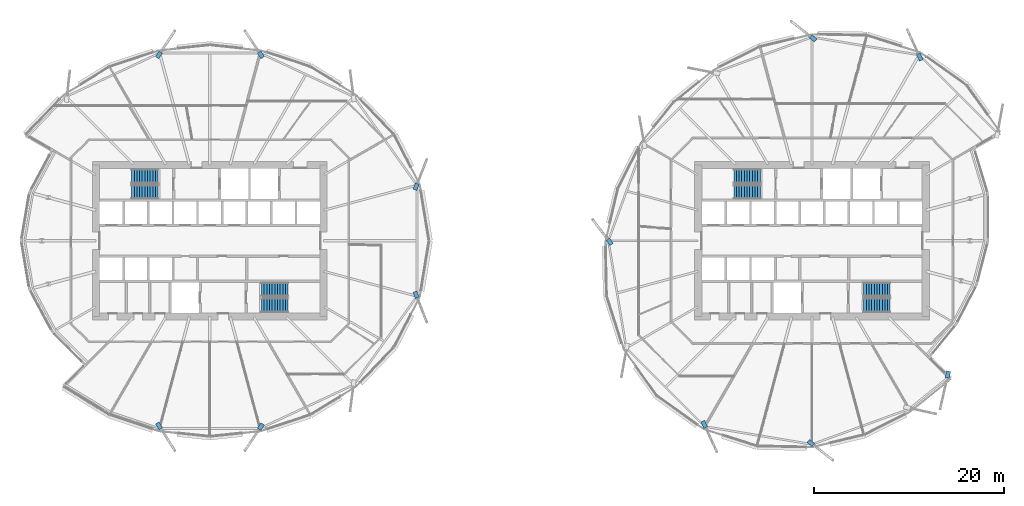
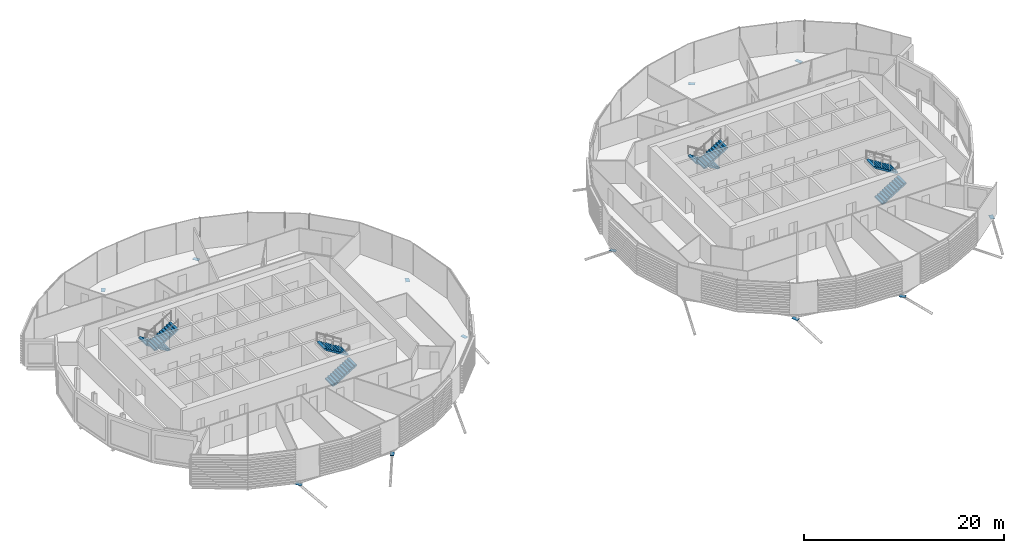
# One storey, part 26 of 38: 12 discrete accessories, 8 stair flights, 4 elements without a shape of their own.
"""IFC4 building model written with IfcOpenShell, lengths in metres."""

from ifc_helpers import new_model, si_unit, direction, frame, origin, origin_2d, place, context, subcontext, project, spatial, polyline, rectangle, outline, extrude, material, material_profile, profile_set, type_object, element, aggregate, save


model = new_model("IFC4")

# Units and contexts
model_context = context("Model", 3, precision=1e-05, world=origin(), true_north=direction((0.0, 1.0)))
body_context = subcontext(model_context, "Body", "Model", "MODEL_VIEW")
ifc_project = project(units=[si_unit("LENGTHUNIT", "METRE"), si_unit("AREAUNIT", "SQUARE_METRE"), si_unit("VOLUMEUNIT", "CUBIC_METRE"), si_unit("PLANEANGLEUNIT", "RADIAN"), si_unit("MASSUNIT", "GRAM", prefix="KILO")], contexts=[model_context])

# Site, building, storey
site_placement = place(None, origin())
site = spatial("IfcSite", under=ifc_project, at=site_placement, CompositionType="ELEMENT")
building_placement = place(site_placement, origin())
building = spatial("IfcBuilding", under=site, at=building_placement, Name="Rimbun Link Towers", CompositionType="ELEMENT")
storey_placement = place(building_placement, frame((0.0, 0.0, 123.39990234375)))
storey = spatial("IfcBuildingStorey", under=building, at=storey_placement, Name="L30", CompositionType="ELEMENT", Elevation=123.39990234375)

# Stair, stair flights
ifc_material_1 = material(Name="Concrete C40/50", Category="concrete")
stair_type = type_object("IfcStairType", Name="Exit stair 3800 rise", PredefinedType="HALF_TURN_STAIR", material=ifc_material_1)
stair_1_placement = place(storey_placement, origin())
stair_1 = element("IfcStair", 1, at=stair_1_placement, inside=storey, type_object=stair_type, Name="L30 EXIT STAIR A", PredefinedType="HALF_TURN_STAIR")
ifc_material_2 = material(Name="Concrete C40/50", Category="concrete")
stair_flight_type = type_object("IfcStairFlightType", Name="Exit stair flight 3800 rise", PredefinedType="STRAIGHT", material=ifc_material_2)
stair_flight_1_placement = place(storey_placement, frame((-37.199951171875, 6.800048828125, 0.0), z_axis=(0.0, 0.0, 1.0), x_axis=(-1.0, 0.0, 0.0)))
stair_flight_1 = element("IfcStairFlight", 2, at=stair_flight_1_placement, type_object=stair_flight_type, Name="ST1 flight 1", NumberOfRisers=11, NumberOfTreads=10, PredefinedType="STRAIGHT", RiserHeight=0.172727273, TreadLength=0.28, context=body_context, shape_type="SweptSolid", body=[
    extrude(outline(polyline([(0.0, 0.0), (0.0, 0.172607421875), (0.280029296875, 0.172607421875), (0.280029296875, 0.345458984375), (0.56005859375, 0.345458984375), (0.56005859375, 0.51806640625), (0.840087890625, 0.51806640625), (0.840087890625, 0.69091796875), (1.1201171875, 0.69091796875), (1.1201171875, 0.863525390625), (1.39990234375, 0.863525390625), (1.39990234375, 1.036376953125), (1.679931640625, 1.036376953125), (1.679931640625, 1.208984375), (1.9599609375, 1.208984375), (1.9599609375, 1.3818359375), (2.239990234375, 1.3818359375), (2.239990234375, 1.554443359375), (2.52001953125, 1.554443359375), (2.52001953125, 1.727294921875), (2.800048828125, 1.727294921875), (2.800048828125, 1.89990234375), (2.800048828125, 1.551025390625), (0.280029296875, 0.0), (0.0, 0.0)])), frame((0.0, 0.75, 0.0), z_axis=(0.0, -1.0, 0.0), x_axis=(1.0, 0.0, 0.0)), (0.0, 0.0, 1.0), 1.5),
])
stair_flight_2_placement = place(storey_placement, frame((-40.0, 5.14990234375, 1.900146484375), z_axis=(0.0, 0.0, 1.0), x_axis=(1.0, 0.0, 0.0)))
stair_flight_2 = element("IfcStairFlight", 3, at=stair_flight_2_placement, type_object=stair_flight_type, Name="ST1 flight 2", NumberOfRisers=11, NumberOfTreads=10, PredefinedType="STRAIGHT", RiserHeight=0.172727273, TreadLength=0.28, context=body_context, shape_type="SweptSolid", body=[
    extrude(outline(polyline([(0.0, 0.0), (0.0, 0.172607421875), (0.280029296875, 0.172607421875), (0.280029296875, 0.345458984375), (0.56005859375, 0.345458984375), (0.56005859375, 0.51806640625), (0.840087890625, 0.51806640625), (0.840087890625, 0.69091796875), (1.1201171875, 0.69091796875), (1.1201171875, 0.863525390625), (1.39990234375, 0.863525390625), (1.39990234375, 1.036376953125), (1.679931640625, 1.036376953125), (1.679931640625, 1.208984375), (1.9599609375, 1.208984375), (1.9599609375, 1.3818359375), (2.239990234375, 1.3818359375), (2.239990234375, 1.554443359375), (2.52001953125, 1.554443359375), (2.52001953125, 1.727294921875), (2.800048828125, 1.727294921875), (2.800048828125, 1.89990234375), (2.800048828125, 1.551025390625), (0.280029296875, 0.0), (0.0, 0.0)])), frame((0.0, 0.75, 0.0), z_axis=(0.0, -1.0, 0.0), x_axis=(1.0, 0.0, 0.0)), (0.0, 0.0, 1.0), 1.5),
])
aggregate(stair_1, [stair_flight_1, stair_flight_2])

stair_2_placement = place(storey_placement, origin())
stair_2 = element("IfcStair", 4, at=stair_2_placement, inside=storey, type_object=stair_type, Name="L30 EXIT STAIR B", PredefinedType="HALF_TURN_STAIR")
stair_flight_3_placement = place(storey_placement, frame((-26.300048828125, -6.800048828125, 0.0), z_axis=(0.0, 0.0, 1.0), x_axis=(1.0, 0.0, 0.0)))
stair_flight_3 = element("IfcStairFlight", 5, at=stair_flight_3_placement, type_object=stair_flight_type, Name="ST2 flight 1", NumberOfRisers=11, NumberOfTreads=10, PredefinedType="STRAIGHT", RiserHeight=0.172727273, TreadLength=0.28, context=body_context, shape_type="SweptSolid", body=[
    extrude(outline(polyline([(0.0, 0.0), (0.0, 0.172607421875), (0.280029296875, 0.172607421875), (0.280029296875, 0.345458984375), (0.56005859375, 0.345458984375), (0.56005859375, 0.51806640625), (0.840087890625, 0.51806640625), (0.840087890625, 0.69091796875), (1.1201171875, 0.69091796875), (1.1201171875, 0.863525390625), (1.39990234375, 0.863525390625), (1.39990234375, 1.036376953125), (1.679931640625, 1.036376953125), (1.679931640625, 1.208984375), (1.9599609375, 1.208984375), (1.9599609375, 1.3818359375), (2.239990234375, 1.3818359375), (2.239990234375, 1.554443359375), (2.52001953125, 1.554443359375), (2.52001953125, 1.727294921875), (2.800048828125, 1.727294921875), (2.800048828125, 1.89990234375), (2.800048828125, 1.551025390625), (0.280029296875, 0.0), (0.0, 0.0)])), frame((0.0, 0.75, 0.0), z_axis=(0.0, -1.0, 0.0), x_axis=(1.0, 0.0, 0.0)), (0.0, 0.0, 1.0), 1.5),
])
stair_flight_4_placement = place(storey_placement, frame((-23.5, -5.14990234375, 1.900146484375), z_axis=(0.0, 0.0, 1.0), x_axis=(-1.0, 0.0, 0.0)))
stair_flight_4 = element("IfcStairFlight", 6, at=stair_flight_4_placement, type_object=stair_flight_type, Name="ST2 flight 2", NumberOfRisers=11, NumberOfTreads=10, PredefinedType="STRAIGHT", RiserHeight=0.172727273, TreadLength=0.28, context=body_context, shape_type="SweptSolid", body=[
    extrude(outline(polyline([(0.0, 0.0), (0.0, 0.172607421875), (0.280029296875, 0.172607421875), (0.280029296875, 0.345458984375), (0.56005859375, 0.345458984375), (0.56005859375, 0.51806640625), (0.840087890625, 0.51806640625), (0.840087890625, 0.69091796875), (1.1201171875, 0.69091796875), (1.1201171875, 0.863525390625), (1.39990234375, 0.863525390625), (1.39990234375, 1.036376953125), (1.679931640625, 1.036376953125), (1.679931640625, 1.208984375), (1.9599609375, 1.208984375), (1.9599609375, 1.3818359375), (2.239990234375, 1.3818359375), (2.239990234375, 1.554443359375), (2.52001953125, 1.554443359375), (2.52001953125, 1.727294921875), (2.800048828125, 1.727294921875), (2.800048828125, 1.89990234375), (2.800048828125, 1.551025390625), (0.280029296875, 0.0), (0.0, 0.0)])), frame((0.0, 0.75, 0.0), z_axis=(0.0, -1.0, 0.0), x_axis=(1.0, 0.0, 0.0)), (0.0, 0.0, 1.0), 1.5),
])
aggregate(stair_2, [stair_flight_3, stair_flight_4])

stair_3_placement = place(storey_placement, origin())
stair_3 = element("IfcStair", 7, at=stair_3_placement, inside=storey, type_object=stair_type, Name="L30 EXIT STAIR A", PredefinedType="HALF_TURN_STAIR")
stair_flight_5_placement = place(storey_placement, frame((26.300048828125, 6.800048828125, 0.0), z_axis=(0.0, 0.0, 1.0), x_axis=(-1.0, 0.0, 0.0)))
stair_flight_5 = element("IfcStairFlight", 8, at=stair_flight_5_placement, type_object=stair_flight_type, Name="ST3 flight 1", NumberOfRisers=11, NumberOfTreads=10, PredefinedType="STRAIGHT", RiserHeight=0.172727273, TreadLength=0.28, context=body_context, shape_type="SweptSolid", body=[
    extrude(outline(polyline([(0.0, 0.0), (0.0, 0.172607421875), (0.280029296875, 0.172607421875), (0.280029296875, 0.345458984375), (0.56005859375, 0.345458984375), (0.56005859375, 0.51806640625), (0.840087890625, 0.51806640625), (0.840087890625, 0.69091796875), (1.1201171875, 0.69091796875), (1.1201171875, 0.863525390625), (1.39990234375, 0.863525390625), (1.39990234375, 1.036376953125), (1.679931640625, 1.036376953125), (1.679931640625, 1.208984375), (1.9599609375, 1.208984375), (1.9599609375, 1.3818359375), (2.239990234375, 1.3818359375), (2.239990234375, 1.554443359375), (2.52001953125, 1.554443359375), (2.52001953125, 1.727294921875), (2.800048828125, 1.727294921875), (2.800048828125, 1.89990234375), (2.800048828125, 1.551025390625), (0.280029296875, 0.0), (0.0, 0.0)])), frame((0.0, 0.75, 0.0), z_axis=(0.0, -1.0, 0.0), x_axis=(1.0, 0.0, 0.0)), (0.0, 0.0, 1.0), 1.5),
])
stair_flight_6_placement = place(storey_placement, frame((23.5, 5.14990234375, 1.900146484375), z_axis=(0.0, 0.0, 1.0), x_axis=(1.0, 0.0, 0.0)))
stair_flight_6 = element("IfcStairFlight", 9, at=stair_flight_6_placement, type_object=stair_flight_type, Name="ST3 flight 2", NumberOfRisers=11, NumberOfTreads=10, PredefinedType="STRAIGHT", RiserHeight=0.172727273, TreadLength=0.28, context=body_context, shape_type="SweptSolid", body=[
    extrude(outline(polyline([(0.0, 0.0), (0.0, 0.172607421875), (0.280029296875, 0.172607421875), (0.280029296875, 0.345458984375), (0.56005859375, 0.345458984375), (0.56005859375, 0.51806640625), (0.840087890625, 0.51806640625), (0.840087890625, 0.69091796875), (1.1201171875, 0.69091796875), (1.1201171875, 0.863525390625), (1.39990234375, 0.863525390625), (1.39990234375, 1.036376953125), (1.679931640625, 1.036376953125), (1.679931640625, 1.208984375), (1.9599609375, 1.208984375), (1.9599609375, 1.3818359375), (2.239990234375, 1.3818359375), (2.239990234375, 1.554443359375), (2.52001953125, 1.554443359375), (2.52001953125, 1.727294921875), (2.800048828125, 1.727294921875), (2.800048828125, 1.89990234375), (2.800048828125, 1.551025390625), (0.280029296875, 0.0), (0.0, 0.0)])), frame((0.0, 0.75, 0.0), z_axis=(0.0, -1.0, 0.0), x_axis=(1.0, 0.0, 0.0)), (0.0, 0.0, 1.0), 1.5),
])
aggregate(stair_3, [stair_flight_5, stair_flight_6])

stair_4_placement = place(storey_placement, origin())
stair_4 = element("IfcStair", 10, at=stair_4_placement, inside=storey, type_object=stair_type, Name="L30 EXIT STAIR B", PredefinedType="HALF_TURN_STAIR")
stair_flight_7_placement = place(storey_placement, frame((37.199951171875, -6.800048828125, 0.0), z_axis=(0.0, 0.0, 1.0), x_axis=(1.0, 0.0, 0.0)))
stair_flight_7 = element("IfcStairFlight", 11, at=stair_flight_7_placement, type_object=stair_flight_type, Name="ST4 flight 1", NumberOfRisers=11, NumberOfTreads=10, PredefinedType="STRAIGHT", RiserHeight=0.172727273, TreadLength=0.28, context=body_context, shape_type="SweptSolid", body=[
    extrude(outline(polyline([(0.0, 0.0), (0.0, 0.172607421875), (0.280029296875, 0.172607421875), (0.280029296875, 0.345458984375), (0.56005859375, 0.345458984375), (0.56005859375, 0.51806640625), (0.840087890625, 0.51806640625), (0.840087890625, 0.69091796875), (1.1201171875, 0.69091796875), (1.1201171875, 0.863525390625), (1.39990234375, 0.863525390625), (1.39990234375, 1.036376953125), (1.679931640625, 1.036376953125), (1.679931640625, 1.208984375), (1.9599609375, 1.208984375), (1.9599609375, 1.3818359375), (2.239990234375, 1.3818359375), (2.239990234375, 1.554443359375), (2.52001953125, 1.554443359375), (2.52001953125, 1.727294921875), (2.800048828125, 1.727294921875), (2.800048828125, 1.89990234375), (2.800048828125, 1.551025390625), (0.280029296875, 0.0), (0.0, 0.0)])), frame((0.0, 0.75, 0.0), z_axis=(0.0, -1.0, 0.0), x_axis=(1.0, 0.0, 0.0)), (0.0, 0.0, 1.0), 1.5),
])
stair_flight_8_placement = place(storey_placement, frame((40.0, -5.14990234375, 1.900146484375), z_axis=(0.0, 0.0, 1.0), x_axis=(-1.0, 0.0, 0.0)))
stair_flight_8 = element("IfcStairFlight", 12, at=stair_flight_8_placement, type_object=stair_flight_type, Name="ST4 flight 2", NumberOfRisers=11, NumberOfTreads=10, PredefinedType="STRAIGHT", RiserHeight=0.172727273, TreadLength=0.28, context=body_context, shape_type="SweptSolid", body=[
    extrude(outline(polyline([(0.0, 0.0), (0.0, 0.172607421875), (0.280029296875, 0.172607421875), (0.280029296875, 0.345458984375), (0.56005859375, 0.345458984375), (0.56005859375, 0.51806640625), (0.840087890625, 0.51806640625), (0.840087890625, 0.69091796875), (1.1201171875, 0.69091796875), (1.1201171875, 0.863525390625), (1.39990234375, 0.863525390625), (1.39990234375, 1.036376953125), (1.679931640625, 1.036376953125), (1.679931640625, 1.208984375), (1.9599609375, 1.208984375), (1.9599609375, 1.3818359375), (2.239990234375, 1.3818359375), (2.239990234375, 1.554443359375), (2.52001953125, 1.554443359375), (2.52001953125, 1.727294921875), (2.800048828125, 1.727294921875), (2.800048828125, 1.89990234375), (2.800048828125, 1.551025390625), (0.280029296875, 0.0), (0.0, 0.0)])), frame((0.0, 0.75, 0.0), z_axis=(0.0, -1.0, 0.0), x_axis=(1.0, 0.0, 0.0)), (0.0, 0.0, 1.0), 1.5),
])
aggregate(stair_4, [stair_flight_7, stair_flight_8])

# Discrete accessories
ifc_material_3 = material(Name="Steel S355J2H", Category="steel")
ifc_material_profile = material_profile(ifc_material_3, rectangle(XDim=0.43310546875, YDim=0.43310546875, at=origin_2d()), Name="PL 433x433")
ifc_profile_set = profile_set([ifc_material_profile], Name="Steel S355J2H")
discrete_accessory_type = type_object("IfcDiscreteAccessoryType", Name="Link head end plate 433X20", PredefinedType="BRACKET", material=ifc_profile_set)
discrete_accessory_1_placement = place(storey_placement, frame((0.0, 0.0, -0.712890625)))
element("IfcDiscreteAccessory", 13, at=discrete_accessory_1_placement, inside=storey, type_object=discrete_accessory_type, Name="Link head end plate T1 L30 01", PredefinedType="BRACKET", context=body_context, shape_type="SweptSolid", body=[
    extrude(outline(polyline([(-9.927734375, 5.2978515625), (-9.6796875, 5.934326171875), (-10.083251953125, 6.091552734375), (-10.331298828125, 5.455078125), (-9.927734375, 5.2978515625)])), origin(), (0.0, 0.0, 1.0), 0.019775390625),
])
discrete_accessory_2_placement = place(storey_placement, frame((0.0, 0.0, -0.86328125)))
element("IfcDiscreteAccessory", 14, at=discrete_accessory_2_placement, inside=storey, type_object=discrete_accessory_type, Name="Link head end plate T1 L30 05", PredefinedType="BRACKET", context=body_context, shape_type="SweptSolid", body=[
    extrude(outline(polyline([(-25.999267578125, 19.438720703125), (-26.3818359375, 20.013427734375), (-26.7421875, 19.773681640625), (-26.359619140625, 19.198974609375), (-25.999267578125, 19.438720703125)])), origin(), (0.0, 0.0, 1.0), 0.019775390625),
])
discrete_accessory_3_placement = place(storey_placement, frame((0.0, 0.0, -0.86328125)))
element("IfcDiscreteAccessory", 15, at=discrete_accessory_3_placement, inside=storey, type_object=discrete_accessory_type, Name="Link head end plate T1 L30 07", PredefinedType="BRACKET", context=body_context, shape_type="SweptSolid", body=[
    extrude(outline(polyline([(-37.140380859375, 19.198974609375), (-36.7578125, 19.773681640625), (-37.1181640625, 20.013427734375), (-37.500732421875, 19.438720703125), (-37.140380859375, 19.198974609375)])), origin(), (0.0, 0.0, 1.0), 0.019775390625),
])
discrete_accessory_4_placement = place(storey_placement, frame((0.0, 0.0, -0.86328125)))
element("IfcDiscreteAccessory", 16, at=discrete_accessory_4_placement, inside=storey, type_object=discrete_accessory_type, Name="Link head end plate T1 L30 17", PredefinedType="BRACKET", context=body_context, shape_type="SweptSolid", body=[
    extrude(outline(polyline([(-37.475341796875, -19.335693359375), (-37.1005859375, -19.924560546875), (-36.7353515625, -19.69189453125), (-37.110107421875, -19.103271484375), (-37.475341796875, -19.335693359375)])), origin(), (0.0, 0.0, 1.0), 0.019775390625),
])
discrete_accessory_5_placement = place(storey_placement, frame((0.0, 0.0, -0.86328125)))
element("IfcDiscreteAccessory", 17, at=discrete_accessory_5_placement, inside=storey, type_object=discrete_accessory_type, Name="Link head end plate T1 L30 19", PredefinedType="BRACKET", context=body_context, shape_type="SweptSolid", body=[
    extrude(outline(polyline([(-26.359619140625, -19.198974609375), (-26.7421875, -19.773681640625), (-26.3818359375, -20.013427734375), (-25.999267578125, -19.438720703125), (-26.359619140625, -19.198974609375)])), origin(), (0.0, 0.0, 1.0), 0.019775390625),
])
discrete_accessory_6_placement = place(storey_placement, frame((0.0, 0.0, -0.712890625)))
element("IfcDiscreteAccessory", 18, at=discrete_accessory_6_placement, inside=storey, type_object=discrete_accessory_type, Name="Link head end plate T1 L30 23", PredefinedType="BRACKET", context=body_context, shape_type="SweptSolid", body=[
    extrude(outline(polyline([(-10.331298828125, -5.455078125), (-10.083251953125, -6.091552734375), (-9.6796875, -5.934326171875), (-9.927734375, -5.2978515625), (-10.331298828125, -5.455078125)])), origin(), (0.0, 0.0, 1.0), 0.019775390625),
])
discrete_accessory_7_placement = place(storey_placement, frame((0.0, 0.0, -0.86328125)))
element("IfcDiscreteAccessory", 19, at=discrete_accessory_7_placement, inside=storey, type_object=discrete_accessory_type, Name="Link head end plate T2 L30 01", PredefinedType="BRACKET", context=body_context, shape_type="SweptSolid", body=[
    extrude(outline(polyline([(43.47021484375, 19.117919921875), (43.15673828125, 19.8017578125), (42.76318359375, 19.621337890625), (43.07666015625, 18.9375), (43.47021484375, 19.117919921875)])), origin(), (0.0, 0.0, 1.0), 0.019775390625),
])
discrete_accessory_8_placement = place(storey_placement, frame((0.0, 0.0, -0.86328125)))
element("IfcDiscreteAccessory", 20, at=discrete_accessory_8_placement, inside=storey, type_object=discrete_accessory_type, Name="Link head end plate T2 L30 03", PredefinedType="BRACKET", context=body_context, shape_type="SweptSolid", body=[
    extrude(outline(polyline([(32.27490234375, 21.287109375), (31.73876953125, 21.70703125), (31.4716796875, 21.3662109375), (32.0078125, 20.9462890625), (32.27490234375, 21.287109375)])), origin(), (0.0, 0.0, 1.0), 0.019775390625),
])
discrete_accessory_9_placement = place(storey_placement, frame((0.0, 0.0, -0.712890625)))
element("IfcDiscreteAccessory", 21, at=discrete_accessory_9_placement, inside=storey, type_object=discrete_accessory_type, Name="Link head end plate T2 L30 09", PredefinedType="BRACKET", context=body_context, shape_type="SweptSolid", body=[
    extrude(outline(polyline([(10.7939453125, -0.253173828125), (10.38623046875, 0.2783203125), (10.042724609375, 0.014404296875), (10.450439453125, -0.516845703125), (10.7939453125, -0.253173828125)])), origin(), (0.0, 0.0, 1.0), 0.019775390625),
])
discrete_accessory_10_placement = place(storey_placement, frame((0.0, 0.0, -0.86328125)))
element("IfcDiscreteAccessory", 22, at=discrete_accessory_10_placement, inside=storey, type_object=discrete_accessory_type, Name="Link head end plate T2 L30 13", PredefinedType="BRACKET", context=body_context, shape_type="SweptSolid", body=[
    extrude(outline(polyline([(20.02978515625, -19.117919921875), (20.34326171875, -19.8017578125), (20.73681640625, -19.621337890625), (20.42333984375, -18.9375), (20.02978515625, -19.117919921875)])), origin(), (0.0, 0.0, 1.0), 0.019775390625),
])
discrete_accessory_11_placement = place(storey_placement, frame((0.0, 0.0, -0.86328125)))
element("IfcDiscreteAccessory", 23, at=discrete_accessory_11_placement, inside=storey, type_object=discrete_accessory_type, Name="Link head end plate T2 L30 15", PredefinedType="BRACKET", context=body_context, shape_type="SweptSolid", body=[
    extrude(outline(polyline([(31.22509765625, -21.287109375), (31.76123046875, -21.70703125), (32.0283203125, -21.3662109375), (31.4921875, -20.9462890625), (31.22509765625, -21.287109375)])), origin(), (0.0, 0.0, 1.0), 0.019775390625),
])
discrete_accessory_12_placement = place(storey_placement, frame((0.0, 0.0, -0.63330078125)))
element("IfcDiscreteAccessory", 24, at=discrete_accessory_12_placement, inside=storey, type_object=discrete_accessory_type, Name="Link head end plate T2 L30 18", PredefinedType="BRACKET", context=body_context, shape_type="SweptSolid", body=[
    extrude(outline(polyline([(45.951416015625, -13.699462890625), (45.787109375, -14.41650390625), (46.209228515625, -14.51318359375), (46.37353515625, -13.79638671875), (45.951416015625, -13.699462890625)])), origin(), (0.0, 0.0, 1.0), 0.02001953125),
])

save(model, "model.ifc")
